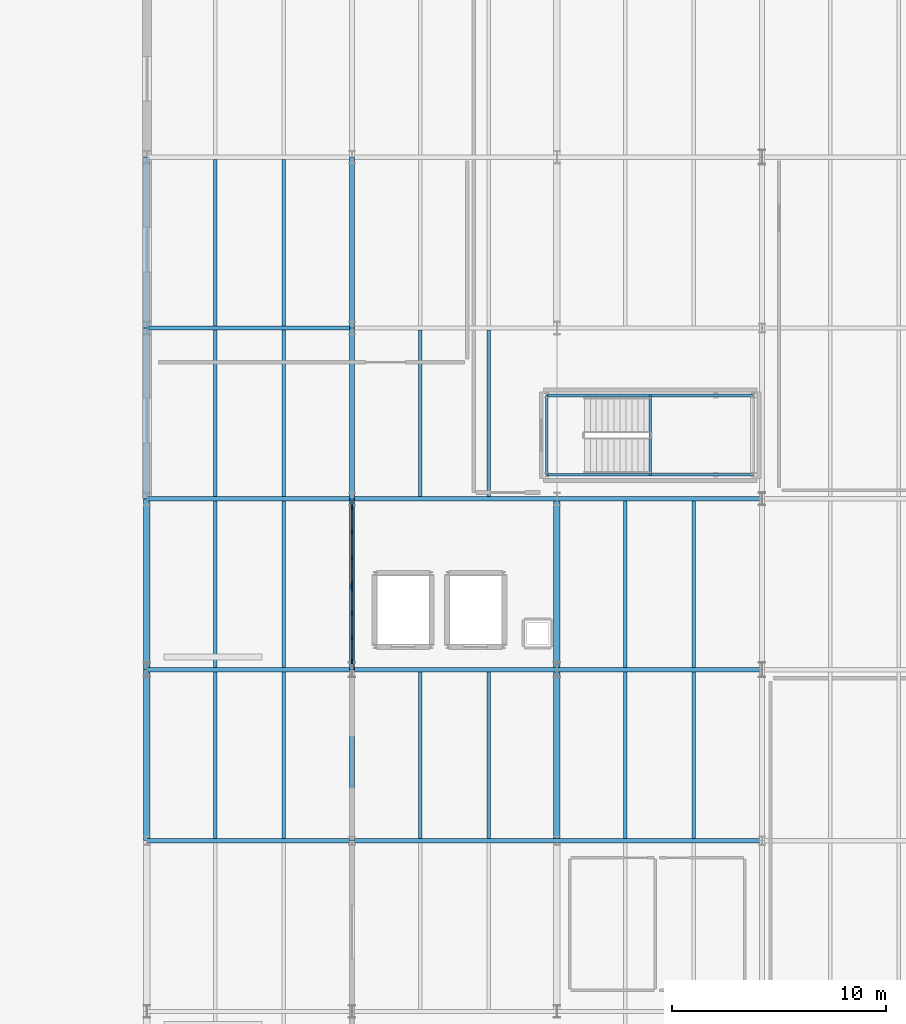
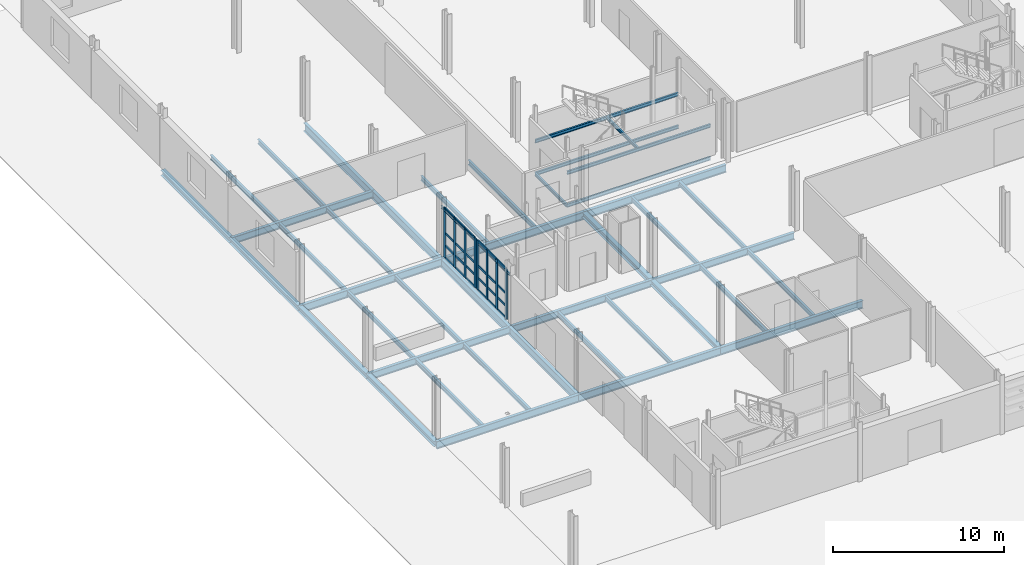
# One storey, part 35 of 78: 43 beams, 32 members, 2 elements without a shape of their own.
"""IFC4 building model written with IfcOpenShell, lengths in metres."""

from ifc_helpers import new_model, si_unit, direction, frame, origin, origin_2d, place, context, subcontext, project, spatial, rectangle, i_section, extrude, material, layer, layer_set, material_profile, profile_set, type_object, element, aggregate, save


model = new_model("IFC4")

# Units and contexts
model_context = context("Model", 3, precision=1e-05, world=origin(), true_north=direction((0.0, 1.0)))
body_context = subcontext(model_context, "Body", "Model", "MODEL_VIEW")
ifc_project = project(units=[si_unit("LENGTHUNIT", "METRE"), si_unit("AREAUNIT", "SQUARE_METRE"), si_unit("VOLUMEUNIT", "CUBIC_METRE"), si_unit("PLANEANGLEUNIT", "RADIAN"), si_unit("MASSUNIT", "GRAM", prefix="KILO")], contexts=[model_context])

# Site, building, storey
site_placement = place(None, origin())
site = spatial("IfcSite", under=ifc_project, at=site_placement, CompositionType="ELEMENT")
building_placement = place(site_placement, origin())
building = spatial("IfcBuilding", under=site, at=building_placement, Name="Alderhovde Museum", CompositionType="ELEMENT")
storey_placement = place(building_placement, origin())
storey = spatial("IfcBuildingStorey", under=building, at=storey_placement, Name="L00", CompositionType="ELEMENT", Elevation=0.0)

# Beams
ifc_material_1 = material(Name="Steel S355J2", Category="steel")
ifc_material_profile_1 = material_profile(ifc_material_1, i_section(OverallWidth=0.300048828125, OverallDepth=0.389892578125, WebThickness=0.010986328125, FlangeThickness=0.01904296875, FilletRadius=0.027099609375, at=origin_2d()), Name="HEA 400")
ifc_profile_set_1 = profile_set([ifc_material_profile_1], Name="Steel S355J2")
beam_type_1 = type_object("IfcBeamType", Name="BM-HEA400", PredefinedType="BEAM", material=ifc_profile_set_1)
for number, where, z_axis, x_axis, name in (
    (1, (9.60009765625, 64.0, -0.47509765625), (0.0, 1.0, 0.0), (-1.0, 0.0, 0.0), "L00 Grid Beam X=9.6 (64.0 TO 72.0)"),
    (2, (9.60009765625, 72.0, -0.47509765625), (0.0, 1.0, 0.0), (-1.0, 0.0, 0.0), "L00 Grid Beam X=9.6 (72.0 TO 80.0)"),
    (3, (9.60009765625, 80.0, -0.47509765625), (0.0, 1.0, 0.0), (-1.0, 0.0, 0.0), "L00 Grid Beam X=9.6 (80.0 TO 88.0)"),
    (4, (9.60009765625, 88.0, -0.47509765625), (0.0, 1.0, 0.0), (-1.0, 0.0, 0.0), "L00 Grid Beam X=9.6 (88.0 TO 96.0)"),
    (5, (28.800048828125, 64.0, -0.47509765625), (0.0, 1.0, 0.0), (-1.0, 0.0, 0.0), "L00 Grid Beam X=28.8 (64.0 TO 72.0)"),
    (6, (28.800048828125, 72.0, -0.47509765625), (0.0, 1.0, 0.0), (-1.0, 0.0, 0.0), "L00 Grid Beam X=28.8 (72.0 TO 80.0)"),
):
    element("IfcBeam", number, at=place(storey_placement, frame(where, z_axis=z_axis, x_axis=x_axis)), inside=storey, type_object=beam_type_1, Name=name, PredefinedType="BEAM", context=body_context, shape_type="SweptSolid", body=[
        extrude(i_section(OverallWidth=0.300048828125, OverallDepth=0.389892578125, WebThickness=0.010986328125, FlangeThickness=0.01904296875, FilletRadius=0.027099609375, at=origin_2d()), origin(), (0.0, 0.0, 1.0), 8.0),
    ])
ifc_material_2 = material(Name="Steel S355J2", Category="steel")
ifc_material_profile_2 = material_profile(ifc_material_2, i_section(OverallWidth=0.1201171875, OverallDepth=0.239990234375, WebThickness=0.006103515625, FlangeThickness=0.009765625, FilletRadius=0.014892578125, at=origin_2d()), Name="IPE 240")
ifc_profile_set_2 = profile_set([ifc_material_profile_2], Name="Steel S355J2")
beam_type_2 = type_object("IfcBeamType", Name="BM-IPE240", PredefinedType="BEAM", material=ifc_profile_set_2)
for number, where, z_axis, x_axis, name in (
    (7, (28.320068359375, 81.1201171875, -0.39990234375), (1.0, 0.0, 0.0), (0.0, 1.0, 0.0), "L00 Stair ST2 Floor Trimmer S"),
    (8, (28.320068359375, 84.840087890625, -0.39990234375), (1.0, 0.0, 0.0), (0.0, 1.0, 0.0), "L00 Stair ST2 Floor Trimmer N"),
):
    element("IfcBeam", number, at=place(storey_placement, frame(where, z_axis=z_axis, x_axis=x_axis)), inside=storey, type_object=beam_type_2, Name=name, PredefinedType="BEAM", context=body_context, shape_type="SweptSolid", body=[
        extrude(i_section(OverallWidth=0.1201171875, OverallDepth=0.239990234375, WebThickness=0.006103515625, FlangeThickness=0.009765625, FilletRadius=0.014892578125, at=origin_2d()), origin(), (0.0, 0.0, 1.0), 9.679931640625),
    ])
beam_1_placement = place(storey_placement, frame((28.320068359375, 81.1201171875, -0.39990234375), z_axis=(0.0, 1.0, 0.0), x_axis=(-1.0, 0.0, 0.0)))
element("IfcBeam", 9, at=beam_1_placement, inside=storey, type_object=beam_type_2, Name="L00 Stair ST2 Floor Trimmer W", PredefinedType="BEAM", context=body_context, shape_type="SweptSolid", body=[
    extrude(i_section(OverallWidth=0.1201171875, OverallDepth=0.239990234375, WebThickness=0.006103515625, FlangeThickness=0.009765625, FilletRadius=0.014892578125, at=origin_2d()), origin(), (0.0, 0.0, 1.0), 3.719970703125),
])
for number, where, z_axis, x_axis, name in (
    (10, (28.320068359375, 81.1201171875, 1.929931640625), (1.0, 0.0, 0.0), (0.0, 1.0, 0.0), "L00 Stair ST2 Landing 1 Beam S"),
    (11, (28.320068359375, 84.840087890625, 1.929931640625), (1.0, 0.0, 0.0), (0.0, 1.0, 0.0), "L00 Stair ST2 Landing 1 Beam N"),
):
    element("IfcBeam", number, at=place(storey_placement, frame(where, z_axis=z_axis, x_axis=x_axis)), inside=storey, type_object=beam_type_2, Name=name, PredefinedType="BEAM", context=body_context, shape_type="SweptSolid", body=[
        extrude(i_section(OverallWidth=0.1201171875, OverallDepth=0.239990234375, WebThickness=0.006103515625, FlangeThickness=0.009765625, FilletRadius=0.014892578125, at=origin_2d()), origin(), (0.0, 0.0, 1.0), 9.679931640625),
    ])
beam_2_placement = place(storey_placement, frame((33.159912109375, 81.1201171875, 1.929931640625), z_axis=(0.0, 1.0, 0.0), x_axis=(-1.0, 0.0, 0.0)))
element("IfcBeam", 12, at=beam_2_placement, inside=storey, type_object=beam_type_2, Name="L00 Stair ST2 Landing 1 Beam W", PredefinedType="BEAM", context=body_context, shape_type="SweptSolid", body=[
    extrude(i_section(OverallWidth=0.1201171875, OverallDepth=0.239990234375, WebThickness=0.006103515625, FlangeThickness=0.009765625, FilletRadius=0.014892578125, at=origin_2d()), origin(), (0.0, 0.0, 1.0), 3.719970703125),
])
ifc_material_3 = material(Name="Steel S355J2", Category="steel")
ifc_material_profile_3 = material_profile(ifc_material_3, i_section(OverallWidth=0.199951171875, OverallDepth=0.5, WebThickness=0.01025390625, FlangeThickness=0.01611328125, FilletRadius=0.02099609375, at=origin_2d()), Name="IPE 500")
ifc_profile_set_3 = profile_set([ifc_material_profile_3], Name="Steel S355J2")
beam_type_3 = type_object("IfcBeamType", Name="BM-IPE500", PredefinedType="BEAM", material=ifc_profile_set_3)
beam_3_placement = place(storey_placement, frame((9.60009765625, 72.0, -0.530029296875), z_axis=(1.0, 0.0, 0.0), x_axis=(0.0, 1.0, 0.0)))
element("IfcBeam", 13, at=beam_3_placement, inside=storey, type_object=beam_type_3, Name="L00 Grid Beam Y=72.0 (9.6 TO 19.2)", PredefinedType="BEAM", context=body_context, shape_type="SweptSolid", body=[
    extrude(i_section(OverallWidth=0.199951171875, OverallDepth=0.5, WebThickness=0.01025390625, FlangeThickness=0.01611328125, FilletRadius=0.02099609375, at=origin_2d()), origin(), (0.0, 0.0, 1.0), 9.599853515625),
])
beam_4_placement = place(storey_placement, frame((19.199951171875, 72.0, -0.530029296875), z_axis=(1.0, 0.0, 0.0), x_axis=(0.0, 1.0, 0.0)))
element("IfcBeam", 14, at=beam_4_placement, inside=storey, type_object=beam_type_3, Name="L00 Grid Beam Y=72.0 (19.2 TO 28.8)", PredefinedType="BEAM", context=body_context, shape_type="SweptSolid", body=[
    extrude(i_section(OverallWidth=0.199951171875, OverallDepth=0.5, WebThickness=0.01025390625, FlangeThickness=0.01611328125, FilletRadius=0.02099609375, at=origin_2d()), origin(), (0.0, 0.0, 1.0), 9.60009765625),
])
for number, where, z_axis, x_axis, name in (
    (15, (28.800048828125, 72.0, -0.530029296875), (1.0, 0.0, 0.0), (0.0, 1.0, 0.0), "L00 Grid Beam Y=72.0 (28.8 TO 38.4)"),
    (16, (9.60009765625, 88.0, -0.530029296875), (1.0, 0.0, 0.0), (0.0, 1.0, 0.0), "L00 Grid Beam Y=88.0 (9.6 TO 19.2)"),
):
    element("IfcBeam", number, at=place(storey_placement, frame(where, z_axis=z_axis, x_axis=x_axis)), inside=storey, type_object=beam_type_3, Name=name, PredefinedType="BEAM", context=body_context, shape_type="SweptSolid", body=[
        extrude(i_section(OverallWidth=0.199951171875, OverallDepth=0.5, WebThickness=0.01025390625, FlangeThickness=0.01611328125, FilletRadius=0.02099609375, at=origin_2d()), origin(), (0.0, 0.0, 1.0), 9.599853515625),
    ])
ifc_material_4 = material(Name="Steel S355J2", Category="steel")
ifc_material_profile_4 = material_profile(ifc_material_4, i_section(OverallWidth=0.2099609375, OverallDepth=0.550048828125, WebThickness=0.010986328125, FlangeThickness=0.01708984375, FilletRadius=0.02392578125, at=origin_2d()), Name="IPE 550")
ifc_profile_set_4 = profile_set([ifc_material_profile_4], Name="Steel S355J2")
beam_type_4 = type_object("IfcBeamType", Name="BM-IPE550", PredefinedType="BEAM", material=ifc_profile_set_4)
beam_5_placement = place(storey_placement, frame((9.60009765625, 64.0, -0.554931640625), z_axis=(1.0, 0.0, 0.0), x_axis=(0.0, 1.0, 0.0)))
element("IfcBeam", 17, at=beam_5_placement, inside=storey, type_object=beam_type_4, Name="L00 Grid Beam Y=64.0 (9.6 TO 19.2)", PredefinedType="BEAM", context=body_context, shape_type="SweptSolid", body=[
    extrude(i_section(OverallWidth=0.2099609375, OverallDepth=0.550048828125, WebThickness=0.010986328125, FlangeThickness=0.01708984375, FilletRadius=0.02392578125, at=origin_2d()), origin(), (0.0, 0.0, 1.0), 9.599853515625),
])
beam_6_placement = place(storey_placement, frame((19.199951171875, 64.0, -0.554931640625), z_axis=(1.0, 0.0, 0.0), x_axis=(0.0, 1.0, 0.0)))
element("IfcBeam", 18, at=beam_6_placement, inside=storey, type_object=beam_type_4, Name="L00 Grid Beam Y=64.0 (19.2 TO 28.8)", PredefinedType="BEAM", context=body_context, shape_type="SweptSolid", body=[
    extrude(i_section(OverallWidth=0.2099609375, OverallDepth=0.550048828125, WebThickness=0.010986328125, FlangeThickness=0.01708984375, FilletRadius=0.02392578125, at=origin_2d()), origin(), (0.0, 0.0, 1.0), 9.60009765625),
])
for number, where, z_axis, x_axis, name in (
    (19, (28.800048828125, 64.0, -0.554931640625), (1.0, 0.0, 0.0), (0.0, 1.0, 0.0), "L00 Grid Beam Y=64.0 (28.8 TO 38.4)"),
    (20, (9.60009765625, 80.0, -0.554931640625), (1.0, 0.0, 0.0), (0.0, 1.0, 0.0), "L00 Grid Beam Y=80.0 (9.6 TO 19.2)"),
):
    element("IfcBeam", number, at=place(storey_placement, frame(where, z_axis=z_axis, x_axis=x_axis)), inside=storey, type_object=beam_type_4, Name=name, PredefinedType="BEAM", context=body_context, shape_type="SweptSolid", body=[
        extrude(i_section(OverallWidth=0.2099609375, OverallDepth=0.550048828125, WebThickness=0.010986328125, FlangeThickness=0.01708984375, FilletRadius=0.02392578125, at=origin_2d()), origin(), (0.0, 0.0, 1.0), 9.599853515625),
    ])
beam_7_placement = place(storey_placement, frame((19.199951171875, 80.0, -0.554931640625), z_axis=(1.0, 0.0, 0.0), x_axis=(0.0, 1.0, 0.0)))
element("IfcBeam", 21, at=beam_7_placement, inside=storey, type_object=beam_type_4, Name="L00 Grid Beam Y=80.0 (19.2 TO 28.8)", PredefinedType="BEAM", context=body_context, shape_type="SweptSolid", body=[
    extrude(i_section(OverallWidth=0.2099609375, OverallDepth=0.550048828125, WebThickness=0.010986328125, FlangeThickness=0.01708984375, FilletRadius=0.02392578125, at=origin_2d()), origin(), (0.0, 0.0, 1.0), 9.60009765625),
])
beam_8_placement = place(storey_placement, frame((28.800048828125, 80.0, -0.554931640625), z_axis=(1.0, 0.0, 0.0), x_axis=(0.0, 1.0, 0.0)))
element("IfcBeam", 22, at=beam_8_placement, inside=storey, type_object=beam_type_4, Name="L00 Grid Beam Y=80.0 (28.8 TO 38.4)", PredefinedType="BEAM", context=body_context, shape_type="SweptSolid", body=[
    extrude(i_section(OverallWidth=0.2099609375, OverallDepth=0.550048828125, WebThickness=0.010986328125, FlangeThickness=0.01708984375, FilletRadius=0.02392578125, at=origin_2d()), origin(), (0.0, 0.0, 1.0), 9.599853515625),
])
ifc_material_5 = material(Name="Steel S355J2", Category="steel")
ifc_material_profile_5 = material_profile(ifc_material_5, i_section(OverallWidth=0.219970703125, OverallDepth=0.60009765625, WebThickness=0.011962890625, FlangeThickness=0.01904296875, FilletRadius=0.02392578125, at=origin_2d()), Name="IPE 600")
ifc_profile_set_5 = profile_set([ifc_material_profile_5], Name="Steel S355J2")
beam_type_5 = type_object("IfcBeamType", Name="BM-IPE600", PredefinedType="BEAM", material=ifc_profile_set_5)
for number, where, z_axis, x_axis, name in (
    (23, (19.199951171875, 64.0, -0.580078125), (0.0, 1.0, 0.0), (-1.0, 0.0, 0.0), "L00 Grid Beam X=19.2 (64.0 TO 72.0)"),
    (24, (19.199951171875, 72.0, -0.580078125), (0.0, 1.0, 0.0), (-1.0, 0.0, 0.0), "L00 Grid Beam X=19.2 (72.0 TO 80.0)"),
    (25, (19.199951171875, 80.0, -0.580078125), (0.0, 1.0, 0.0), (-1.0, 0.0, 0.0), "L00 Grid Beam X=19.2 (80.0 TO 88.0)"),
    (26, (19.199951171875, 88.0, -0.580078125), (0.0, 1.0, 0.0), (-1.0, 0.0, 0.0), "L00 Grid Beam X=19.2 (88.0 TO 96.0)"),
):
    element("IfcBeam", number, at=place(storey_placement, frame(where, z_axis=z_axis, x_axis=x_axis)), inside=storey, type_object=beam_type_5, Name=name, PredefinedType="BEAM", context=body_context, shape_type="SweptSolid", body=[
        extrude(i_section(OverallWidth=0.219970703125, OverallDepth=0.60009765625, WebThickness=0.011962890625, FlangeThickness=0.01904296875, FilletRadius=0.02392578125, at=origin_2d()), origin(), (0.0, 0.0, 1.0), 8.0),
    ])

# Curtain wall, members
ifc_material_6 = material(Name="Triple-Glazed Bronze-Anodised Curtain Wall", Category="glass")
ifc_layer_1 = layer(ifc_material_6, 0.219970703125)
ifc_layer_set_1 = layer_set([ifc_layer_1], Name="Triple-Glazed Bronze-Anodised Curtain Wall")
curtain_wall_type_1 = type_object("IfcCurtainWallType", Name="CW-STIC-345x356", PredefinedType="USERDEFINED", material=ifc_layer_set_1)
curtain_wall_1_placement = place(storey_placement, origin())
curtain_wall_1 = element("IfcCurtainWall", 27, at=curtain_wall_1_placement, inside=storey, type_object=curtain_wall_type_1, Name="L00 Stick Curtain Wall 1", ObjectType="STICK CURTAIN WALL", PredefinedType="USERDEFINED")
ifc_material_7 = material(Name="Bronze-Anodised Aluminium EN AW-6063-T6", Category="aluminium")
ifc_material_profile_6 = material_profile(ifc_material_7, rectangle(XDim=0.074951171875, YDim=0.219970703125, at=origin_2d()), Name="MULLION 75x220")
ifc_profile_set_6 = profile_set([ifc_material_profile_6], Name="Bronze-Anodised Aluminium EN AW-6063-T6")
member_type_1 = type_object("IfcMemberType", Name="CWM-75x220", PredefinedType="MULLION", material=ifc_profile_set_6)
member_1_placement = place(storey_placement, frame((19.199951171875, 72.387451171875, 0.0), z_axis=(0.0, 0.0, 1.0), x_axis=(-1.0, 0.0, 0.0)))
member_1 = element("IfcMember", 28, at=member_1_placement, type_object=member_type_1, Name="CW01 mullion 1", PredefinedType="MULLION", context=body_context, shape_type="SweptSolid", body=[
    extrude(rectangle(XDim=0.074951171875, YDim=0.219970703125, at=origin_2d()), origin(), (0.0, 0.0, 1.0), 3.56005859375),
])
member_2_placement = place(storey_placement, frame((19.199951171875, 73.5, 0.0), z_axis=(0.0, 0.0, 1.0), x_axis=(-1.0, 0.0, 0.0)))
member_2 = element("IfcMember", 29, at=member_2_placement, type_object=member_type_1, Name="CW01 mullion 2", PredefinedType="MULLION", context=body_context, shape_type="SweptSolid", body=[
    extrude(rectangle(XDim=0.074951171875, YDim=0.219970703125, at=origin_2d()), origin(), (0.0, 0.0, 1.0), 3.56005859375),
])
member_3_placement = place(storey_placement, frame((19.199951171875, 74.64990234375, 0.0), z_axis=(0.0, 0.0, 1.0), x_axis=(-1.0, 0.0, 0.0)))
member_3 = element("IfcMember", 30, at=member_3_placement, type_object=member_type_1, Name="CW01 mullion 3", PredefinedType="MULLION", context=body_context, shape_type="SweptSolid", body=[
    extrude(rectangle(XDim=0.074951171875, YDim=0.219970703125, at=origin_2d()), origin(), (0.0, 0.0, 1.0), 3.56005859375),
])
member_4_placement = place(storey_placement, frame((19.199951171875, 75.762451171875, 0.0), z_axis=(0.0, 0.0, 1.0), x_axis=(-1.0, 0.0, 0.0)))
member_4 = element("IfcMember", 31, at=member_4_placement, type_object=member_type_1, Name="CW01 mullion 4", PredefinedType="MULLION", context=body_context, shape_type="SweptSolid", body=[
    extrude(rectangle(XDim=0.074951171875, YDim=0.219970703125, at=origin_2d()), origin(), (0.0, 0.0, 1.0), 3.56005859375),
])

ifc_material_8 = material(Name="Triple-Glazed Bronze-Anodised Curtain Wall", Category="glass")
ifc_layer_2 = layer(ifc_material_8, 0.219970703125)
ifc_layer_set_2 = layer_set([ifc_layer_2], Name="Triple-Glazed Bronze-Anodised Curtain Wall")
curtain_wall_type_2 = type_object("IfcCurtainWallType", Name="CW-STIC-365x356", PredefinedType="USERDEFINED", material=ifc_layer_set_2)
curtain_wall_2_placement = place(storey_placement, origin())
curtain_wall_2 = element("IfcCurtainWall", 32, at=curtain_wall_2_placement, inside=storey, type_object=curtain_wall_type_2, Name="L00 Stick Curtain Wall 2", ObjectType="STICK CURTAIN WALL", PredefinedType="USERDEFINED")
member_5_placement = place(storey_placement, frame((19.199951171875, 76.03759765625, 0.0), z_axis=(0.0, 0.0, 1.0), x_axis=(-1.0, 0.0, 0.0)))
member_5 = element("IfcMember", 33, at=member_5_placement, type_object=member_type_1, Name="CW02 mullion 1", PredefinedType="MULLION", context=body_context, shape_type="SweptSolid", body=[
    extrude(rectangle(XDim=0.074951171875, YDim=0.219970703125, at=origin_2d()), origin(), (0.0, 0.0, 1.0), 3.56005859375),
])
member_6_placement = place(storey_placement, frame((19.199951171875, 77.216552734375, 0.0), z_axis=(0.0, 0.0, 1.0), x_axis=(-1.0, 0.0, 0.0)))
member_6 = element("IfcMember", 34, at=member_6_placement, type_object=member_type_1, Name="CW02 mullion 2", PredefinedType="MULLION", context=body_context, shape_type="SweptSolid", body=[
    extrude(rectangle(XDim=0.074951171875, YDim=0.219970703125, at=origin_2d()), origin(), (0.0, 0.0, 1.0), 3.56005859375),
])
member_7_placement = place(storey_placement, frame((19.199951171875, 78.433349609375, 0.0), z_axis=(0.0, 0.0, 1.0), x_axis=(-1.0, 0.0, 0.0)))
member_7 = element("IfcMember", 35, at=member_7_placement, type_object=member_type_1, Name="CW02 mullion 3", PredefinedType="MULLION", context=body_context, shape_type="SweptSolid", body=[
    extrude(rectangle(XDim=0.074951171875, YDim=0.219970703125, at=origin_2d()), origin(), (0.0, 0.0, 1.0), 3.56005859375),
])
member_8_placement = place(storey_placement, frame((19.199951171875, 79.612548828125, 0.0), z_axis=(0.0, 0.0, 1.0), x_axis=(-1.0, 0.0, 0.0)))
member_8 = element("IfcMember", 36, at=member_8_placement, type_object=member_type_1, Name="CW02 mullion 4", PredefinedType="MULLION", context=body_context, shape_type="SweptSolid", body=[
    extrude(rectangle(XDim=0.074951171875, YDim=0.219970703125, at=origin_2d()), origin(), (0.0, 0.0, 1.0), 3.56005859375),
])

# Member
ifc_material_9 = material(Name="Bronze-Anodised Aluminium EN AW-6063-T6", Category="aluminium")
ifc_material_profile_7 = material_profile(ifc_material_9, rectangle(XDim=0.074951171875, YDim=0.159912109375, at=origin_2d()), Name="TRANSOM 75x160")
ifc_profile_set_7 = profile_set([ifc_material_profile_7], Name="Bronze-Anodised Aluminium EN AW-6063-T6")
member_type_2 = type_object("IfcMemberType", Name="CWT-75x160", PredefinedType="USERDEFINED", material=ifc_profile_set_7)
member_9_placement = place(storey_placement, frame((19.199951171875, 72.425048828125, 0.03759765625), z_axis=(0.0, 1.0, 0.0), x_axis=(-1.0, 0.0, 0.0)))
member_9 = element("IfcMember", 37, at=member_9_placement, type_object=member_type_2, Name="CW01 transom 1.1", ObjectType="TRANSOM", PredefinedType="USERDEFINED", context=body_context, shape_type="SweptSolid", body=[
    extrude(rectangle(XDim=0.074951171875, YDim=0.159912109375, at=origin_2d()), origin(), (0.0, 0.0, 1.0), 1.037353515625),
])

member_10_placement = place(storey_placement, frame((19.199951171875, 72.425048828125, 0.89990234375), z_axis=(0.0, 1.0, 0.0), x_axis=(-1.0, 0.0, 0.0)))
member_10 = element("IfcMember", 38, at=member_10_placement, type_object=member_type_2, Name="CW01 transom 1.2", ObjectType="TRANSOM", PredefinedType="USERDEFINED", context=body_context, shape_type="SweptSolid", body=[
    extrude(rectangle(XDim=0.074951171875, YDim=0.159912109375, at=origin_2d()), origin(), (0.0, 0.0, 1.0), 1.037353515625),
])

member_11_placement = place(storey_placement, frame((19.199951171875, 72.425048828125, 1.780029296875), z_axis=(0.0, 1.0, 0.0), x_axis=(-1.0, 0.0, 0.0)))
member_11 = element("IfcMember", 39, at=member_11_placement, type_object=member_type_2, Name="CW01 transom 1.3", ObjectType="TRANSOM", PredefinedType="USERDEFINED", context=body_context, shape_type="SweptSolid", body=[
    extrude(rectangle(XDim=0.074951171875, YDim=0.159912109375, at=origin_2d()), origin(), (0.0, 0.0, 1.0), 1.037353515625),
])

member_12_placement = place(storey_placement, frame((19.199951171875, 72.425048828125, 3.5224609375), z_axis=(0.0, 1.0, 0.0), x_axis=(-1.0, 0.0, 0.0)))
member_12 = element("IfcMember", 40, at=member_12_placement, type_object=member_type_2, Name="CW01 transom 1.4", ObjectType="TRANSOM", PredefinedType="USERDEFINED", context=body_context, shape_type="SweptSolid", body=[
    extrude(rectangle(XDim=0.074951171875, YDim=0.159912109375, at=origin_2d()), origin(), (0.0, 0.0, 1.0), 1.037353515625),
])

member_13_placement = place(storey_placement, frame((19.199951171875, 73.53759765625, 0.03759765625), z_axis=(0.0, 1.0, 0.0), x_axis=(-1.0, 0.0, 0.0)))
member_13 = element("IfcMember", 41, at=member_13_placement, type_object=member_type_2, Name="CW01 transom 2.1", ObjectType="TRANSOM", PredefinedType="USERDEFINED", context=body_context, shape_type="SweptSolid", body=[
    extrude(rectangle(XDim=0.074951171875, YDim=0.159912109375, at=origin_2d()), origin(), (0.0, 0.0, 1.0), 1.074951171875),
])

member_14_placement = place(storey_placement, frame((19.199951171875, 73.53759765625, 0.89990234375), z_axis=(0.0, 1.0, 0.0), x_axis=(-1.0, 0.0, 0.0)))
member_14 = element("IfcMember", 42, at=member_14_placement, type_object=member_type_2, Name="CW01 transom 2.2", ObjectType="TRANSOM", PredefinedType="USERDEFINED", context=body_context, shape_type="SweptSolid", body=[
    extrude(rectangle(XDim=0.074951171875, YDim=0.159912109375, at=origin_2d()), origin(), (0.0, 0.0, 1.0), 1.074951171875),
])

member_15_placement = place(storey_placement, frame((19.199951171875, 73.53759765625, 1.780029296875), z_axis=(0.0, 1.0, 0.0), x_axis=(-1.0, 0.0, 0.0)))
member_15 = element("IfcMember", 43, at=member_15_placement, type_object=member_type_2, Name="CW01 transom 2.3", ObjectType="TRANSOM", PredefinedType="USERDEFINED", context=body_context, shape_type="SweptSolid", body=[
    extrude(rectangle(XDim=0.074951171875, YDim=0.159912109375, at=origin_2d()), origin(), (0.0, 0.0, 1.0), 1.074951171875),
])

member_16_placement = place(storey_placement, frame((19.199951171875, 73.53759765625, 3.5224609375), z_axis=(0.0, 1.0, 0.0), x_axis=(-1.0, 0.0, 0.0)))
member_16 = element("IfcMember", 44, at=member_16_placement, type_object=member_type_2, Name="CW01 transom 2.4", ObjectType="TRANSOM", PredefinedType="USERDEFINED", context=body_context, shape_type="SweptSolid", body=[
    extrude(rectangle(XDim=0.074951171875, YDim=0.159912109375, at=origin_2d()), origin(), (0.0, 0.0, 1.0), 1.074951171875),
])

member_17_placement = place(storey_placement, frame((19.199951171875, 74.6875, 0.03759765625), z_axis=(0.0, 1.0, 0.0), x_axis=(-1.0, 0.0, 0.0)))
member_17 = element("IfcMember", 45, at=member_17_placement, type_object=member_type_2, Name="CW01 transom 3.1", ObjectType="TRANSOM", PredefinedType="USERDEFINED", context=body_context, shape_type="SweptSolid", body=[
    extrude(rectangle(XDim=0.074951171875, YDim=0.159912109375, at=origin_2d()), origin(), (0.0, 0.0, 1.0), 1.03759765625),
])

member_18_placement = place(storey_placement, frame((19.199951171875, 74.6875, 0.89990234375), z_axis=(0.0, 1.0, 0.0), x_axis=(-1.0, 0.0, 0.0)))
member_18 = element("IfcMember", 46, at=member_18_placement, type_object=member_type_2, Name="CW01 transom 3.2", ObjectType="TRANSOM", PredefinedType="USERDEFINED", context=body_context, shape_type="SweptSolid", body=[
    extrude(rectangle(XDim=0.074951171875, YDim=0.159912109375, at=origin_2d()), origin(), (0.0, 0.0, 1.0), 1.03759765625),
])

member_19_placement = place(storey_placement, frame((19.199951171875, 74.6875, 1.780029296875), z_axis=(0.0, 1.0, 0.0), x_axis=(-1.0, 0.0, 0.0)))
member_19 = element("IfcMember", 47, at=member_19_placement, type_object=member_type_2, Name="CW01 transom 3.3", ObjectType="TRANSOM", PredefinedType="USERDEFINED", context=body_context, shape_type="SweptSolid", body=[
    extrude(rectangle(XDim=0.074951171875, YDim=0.159912109375, at=origin_2d()), origin(), (0.0, 0.0, 1.0), 1.03759765625),
])

member_20_placement = place(storey_placement, frame((19.199951171875, 74.6875, 3.5224609375), z_axis=(0.0, 1.0, 0.0), x_axis=(-1.0, 0.0, 0.0)))
member_20 = element("IfcMember", 48, at=member_20_placement, type_object=member_type_2, Name="CW01 transom 3.4", ObjectType="TRANSOM", PredefinedType="USERDEFINED", context=body_context, shape_type="SweptSolid", body=[
    extrude(rectangle(XDim=0.074951171875, YDim=0.159912109375, at=origin_2d()), origin(), (0.0, 0.0, 1.0), 1.03759765625),
])

aggregate(curtain_wall_1, [member_1, member_2, member_3, member_4, member_9, member_10, member_11, member_12, member_13, member_14, member_15, member_16, member_17, member_18, member_19, member_20])

member_21_placement = place(storey_placement, frame((19.199951171875, 76.074951171875, 0.03759765625), z_axis=(0.0, 1.0, 0.0), x_axis=(-1.0, 0.0, 0.0)))
member_21 = element("IfcMember", 49, at=member_21_placement, type_object=member_type_2, Name="CW02 transom 1.1", ObjectType="TRANSOM", PredefinedType="USERDEFINED", context=body_context, shape_type="SweptSolid", body=[
    extrude(rectangle(XDim=0.074951171875, YDim=0.159912109375, at=origin_2d()), origin(), (0.0, 0.0, 1.0), 1.104248046875),
])

member_22_placement = place(storey_placement, frame((19.199951171875, 76.074951171875, 0.89990234375), z_axis=(0.0, 1.0, 0.0), x_axis=(-1.0, 0.0, 0.0)))
member_22 = element("IfcMember", 50, at=member_22_placement, type_object=member_type_2, Name="CW02 transom 1.2", ObjectType="TRANSOM", PredefinedType="USERDEFINED", context=body_context, shape_type="SweptSolid", body=[
    extrude(rectangle(XDim=0.074951171875, YDim=0.159912109375, at=origin_2d()), origin(), (0.0, 0.0, 1.0), 1.104248046875),
])

member_23_placement = place(storey_placement, frame((19.199951171875, 76.074951171875, 1.780029296875), z_axis=(0.0, 1.0, 0.0), x_axis=(-1.0, 0.0, 0.0)))
member_23 = element("IfcMember", 51, at=member_23_placement, type_object=member_type_2, Name="CW02 transom 1.3", ObjectType="TRANSOM", PredefinedType="USERDEFINED", context=body_context, shape_type="SweptSolid", body=[
    extrude(rectangle(XDim=0.074951171875, YDim=0.159912109375, at=origin_2d()), origin(), (0.0, 0.0, 1.0), 1.104248046875),
])

member_24_placement = place(storey_placement, frame((19.199951171875, 76.074951171875, 3.5224609375), z_axis=(0.0, 1.0, 0.0), x_axis=(-1.0, 0.0, 0.0)))
member_24 = element("IfcMember", 52, at=member_24_placement, type_object=member_type_2, Name="CW02 transom 1.4", ObjectType="TRANSOM", PredefinedType="USERDEFINED", context=body_context, shape_type="SweptSolid", body=[
    extrude(rectangle(XDim=0.074951171875, YDim=0.159912109375, at=origin_2d()), origin(), (0.0, 0.0, 1.0), 1.104248046875),
])

member_25_placement = place(storey_placement, frame((19.199951171875, 77.254150390625, 0.03759765625), z_axis=(0.0, 1.0, 0.0), x_axis=(-1.0, 0.0, 0.0)))
member_25 = element("IfcMember", 53, at=member_25_placement, type_object=member_type_2, Name="CW02 transom 2.1", ObjectType="TRANSOM", PredefinedType="USERDEFINED", context=body_context, shape_type="SweptSolid", body=[
    extrude(rectangle(XDim=0.074951171875, YDim=0.159912109375, at=origin_2d()), origin(), (0.0, 0.0, 1.0), 1.1416015625),
])

member_26_placement = place(storey_placement, frame((19.199951171875, 77.254150390625, 0.89990234375), z_axis=(0.0, 1.0, 0.0), x_axis=(-1.0, 0.0, 0.0)))
member_26 = element("IfcMember", 54, at=member_26_placement, type_object=member_type_2, Name="CW02 transom 2.2", ObjectType="TRANSOM", PredefinedType="USERDEFINED", context=body_context, shape_type="SweptSolid", body=[
    extrude(rectangle(XDim=0.074951171875, YDim=0.159912109375, at=origin_2d()), origin(), (0.0, 0.0, 1.0), 1.1416015625),
])

member_27_placement = place(storey_placement, frame((19.199951171875, 77.254150390625, 1.780029296875), z_axis=(0.0, 1.0, 0.0), x_axis=(-1.0, 0.0, 0.0)))
member_27 = element("IfcMember", 55, at=member_27_placement, type_object=member_type_2, Name="CW02 transom 2.3", ObjectType="TRANSOM", PredefinedType="USERDEFINED", context=body_context, shape_type="SweptSolid", body=[
    extrude(rectangle(XDim=0.074951171875, YDim=0.159912109375, at=origin_2d()), origin(), (0.0, 0.0, 1.0), 1.1416015625),
])

member_28_placement = place(storey_placement, frame((19.199951171875, 77.254150390625, 3.5224609375), z_axis=(0.0, 1.0, 0.0), x_axis=(-1.0, 0.0, 0.0)))
member_28 = element("IfcMember", 56, at=member_28_placement, type_object=member_type_2, Name="CW02 transom 2.4", ObjectType="TRANSOM", PredefinedType="USERDEFINED", context=body_context, shape_type="SweptSolid", body=[
    extrude(rectangle(XDim=0.074951171875, YDim=0.159912109375, at=origin_2d()), origin(), (0.0, 0.0, 1.0), 1.1416015625),
])

member_29_placement = place(storey_placement, frame((19.199951171875, 78.470947265625, 0.03759765625), z_axis=(0.0, 1.0, 0.0), x_axis=(-1.0, 0.0, 0.0)))
member_29 = element("IfcMember", 57, at=member_29_placement, type_object=member_type_2, Name="CW02 transom 3.1", ObjectType="TRANSOM", PredefinedType="USERDEFINED", context=body_context, shape_type="SweptSolid", body=[
    extrude(rectangle(XDim=0.074951171875, YDim=0.159912109375, at=origin_2d()), origin(), (0.0, 0.0, 1.0), 1.10400390625),
])

member_30_placement = place(storey_placement, frame((19.199951171875, 78.470947265625, 0.89990234375), z_axis=(0.0, 1.0, 0.0), x_axis=(-1.0, 0.0, 0.0)))
member_30 = element("IfcMember", 58, at=member_30_placement, type_object=member_type_2, Name="CW02 transom 3.2", ObjectType="TRANSOM", PredefinedType="USERDEFINED", context=body_context, shape_type="SweptSolid", body=[
    extrude(rectangle(XDim=0.074951171875, YDim=0.159912109375, at=origin_2d()), origin(), (0.0, 0.0, 1.0), 1.10400390625),
])

member_31_placement = place(storey_placement, frame((19.199951171875, 78.470947265625, 1.780029296875), z_axis=(0.0, 1.0, 0.0), x_axis=(-1.0, 0.0, 0.0)))
member_31 = element("IfcMember", 59, at=member_31_placement, type_object=member_type_2, Name="CW02 transom 3.3", ObjectType="TRANSOM", PredefinedType="USERDEFINED", context=body_context, shape_type="SweptSolid", body=[
    extrude(rectangle(XDim=0.074951171875, YDim=0.159912109375, at=origin_2d()), origin(), (0.0, 0.0, 1.0), 1.10400390625),
])

member_32_placement = place(storey_placement, frame((19.199951171875, 78.470947265625, 3.5224609375), z_axis=(0.0, 1.0, 0.0), x_axis=(-1.0, 0.0, 0.0)))
member_32 = element("IfcMember", 60, at=member_32_placement, type_object=member_type_2, Name="CW02 transom 3.4", ObjectType="TRANSOM", PredefinedType="USERDEFINED", context=body_context, shape_type="SweptSolid", body=[
    extrude(rectangle(XDim=0.074951171875, YDim=0.159912109375, at=origin_2d()), origin(), (0.0, 0.0, 1.0), 1.10400390625),
])

aggregate(curtain_wall_2, [member_5, member_6, member_7, member_8, member_21, member_22, member_23, member_24, member_25, member_26, member_27, member_28, member_29, member_30, member_31, member_32])

# Beams
ifc_material_10 = material(Name="Steel S355J2", Category="steel")
ifc_material_profile_8 = material_profile(ifc_material_10, i_section(OverallWidth=0.159912109375, OverallDepth=0.330078125, WebThickness=0.007568359375, FlangeThickness=0.011474609375, FilletRadius=0.01806640625, at=origin_2d()), Name="IPE 330")
ifc_profile_set_8 = profile_set([ifc_material_profile_8], Name="Steel S355J2")
beam_type_6 = type_object("IfcBeamType", Name="JST-IPE330", PredefinedType="JOIST", material=ifc_profile_set_8)
for number, where, z_axis, x_axis, name in (
    (61, (12.800048828125, 64.10498046875, -0.445068359375), (0.0, 1.0, 0.0), (-1.0, 0.0, 0.0), "L00 Composite Joist X=12.8 (64.0 TO 72.0)"),
    (62, (16.0, 64.10498046875, -0.445068359375), (0.0, 1.0, 0.0), (-1.0, 0.0, 0.0), "L00 Composite Joist X=16.0 (64.0 TO 72.0)"),
    (63, (12.800048828125, 72.10009765625, -0.445068359375), (0.0, 1.0, 0.0), (-1.0, 0.0, 0.0), "L00 Composite Joist X=12.8 (72.0 TO 80.0)"),
    (64, (16.0, 72.10009765625, -0.445068359375), (0.0, 1.0, 0.0), (-1.0, 0.0, 0.0), "L00 Composite Joist X=16.0 (72.0 TO 80.0)"),
    (65, (12.800048828125, 80.10498046875, -0.445068359375), (0.0, 1.0, 0.0), (-1.0, 0.0, 0.0), "L00 Composite Joist X=12.8 (80.0 TO 88.0)"),
    (66, (16.0, 80.10498046875, -0.445068359375), (0.0, 1.0, 0.0), (-1.0, 0.0, 0.0), "L00 Composite Joist X=16.0 (80.0 TO 88.0)"),
    (67, (12.800048828125, 88.10009765625, -0.445068359375), (0.0, 1.0, 0.0), (-1.0, 0.0, 0.0), "L00 Composite Joist X=12.8 (88.0 TO 96.0)"),
    (68, (16.0, 88.10009765625, -0.445068359375), (0.0, 1.0, 0.0), (-1.0, 0.0, 0.0), "L00 Composite Joist X=16.0 (88.0 TO 96.0)"),
    (69, (22.39990234375, 64.10498046875, -0.445068359375), (0.0, 1.0, 0.0), (-1.0, 0.0, 0.0), "L00 Composite Joist X=22.4 (64.0 TO 72.0)"),
    (70, (25.60009765625, 64.10498046875, -0.445068359375), (0.0, 1.0, 0.0), (-1.0, 0.0, 0.0), "L00 Composite Joist X=25.6 (64.0 TO 72.0)"),
    (71, (22.39990234375, 80.10498046875, -0.445068359375), (0.0, 1.0, 0.0), (-1.0, 0.0, 0.0), "L00 Composite Joist X=22.4 (80.0 TO 88.0)"),
    (72, (25.60009765625, 80.10498046875, -0.445068359375), (0.0, 1.0, 0.0), (-1.0, 0.0, 0.0), "L00 Composite Joist X=25.6 (80.0 TO 88.0)"),
    (73, (32.0, 64.10498046875, -0.445068359375), (0.0, 1.0, 0.0), (-1.0, 0.0, 0.0), "L00 Composite Joist X=32.0 (64.0 TO 72.0)"),
    (74, (35.199951171875, 64.10498046875, -0.445068359375), (0.0, 1.0, 0.0), (-1.0, 0.0, 0.0), "L00 Composite Joist X=35.2 (64.0 TO 72.0)"),
    (75, (32.0, 72.10009765625, -0.445068359375), (0.0, 1.0, 0.0), (-1.0, 0.0, 0.0), "L00 Composite Joist X=32.0 (72.0 TO 80.0)"),
    (76, (35.199951171875, 72.10009765625, -0.445068359375), (0.0, 1.0, 0.0), (-1.0, 0.0, 0.0), "L00 Composite Joist X=35.2 (72.0 TO 80.0)"),
):
    element("IfcBeam", number, at=place(storey_placement, frame(where, z_axis=z_axis, x_axis=x_axis)), inside=storey, type_object=beam_type_6, Name=name, PredefinedType="JOIST", context=body_context, shape_type="SweptSolid", body=[
        extrude(i_section(OverallWidth=0.159912109375, OverallDepth=0.330078125, WebThickness=0.007568359375, FlangeThickness=0.011474609375, FilletRadius=0.01806640625, at=origin_2d()), origin(), (0.0, 0.0, 1.0), 7.794921875),
    ])
ifc_material_11 = material(Name="Steel S355J2", Category="steel")
ifc_material_profile_9 = material_profile(ifc_material_11, i_section(OverallWidth=0.091064453125, OverallDepth=0.179931640625, WebThickness=0.00537109375, FlangeThickness=0.008056640625, FilletRadius=0.009033203125, at=origin_2d()), Name="IPE 180")
ifc_profile_set_9 = profile_set([ifc_material_profile_9], Name="Steel S355J2")
beam_type_7 = type_object("IfcBeamType", Name="LNT-IPE180", PredefinedType="LINTEL", material=ifc_profile_set_9)
beam_9_placement = place(storey_placement, frame((19.199951171875, 72.0, 3.389892578125), z_axis=(0.0, 1.0, 0.0), x_axis=(-1.0, 0.0, 0.0)))
element("IfcBeam", 77, at=beam_9_placement, inside=storey, type_object=beam_type_7, Name="L00 Portal Lintel 6", PredefinedType="LINTEL", context=body_context, shape_type="SweptSolid", body=[
    extrude(i_section(OverallWidth=0.091064453125, OverallDepth=0.179931640625, WebThickness=0.00537109375, FlangeThickness=0.008056640625, FilletRadius=0.009033203125, at=origin_2d()), origin(), (0.0, 0.0, 1.0), 8.0),
])

save(model, "model.ifc")
